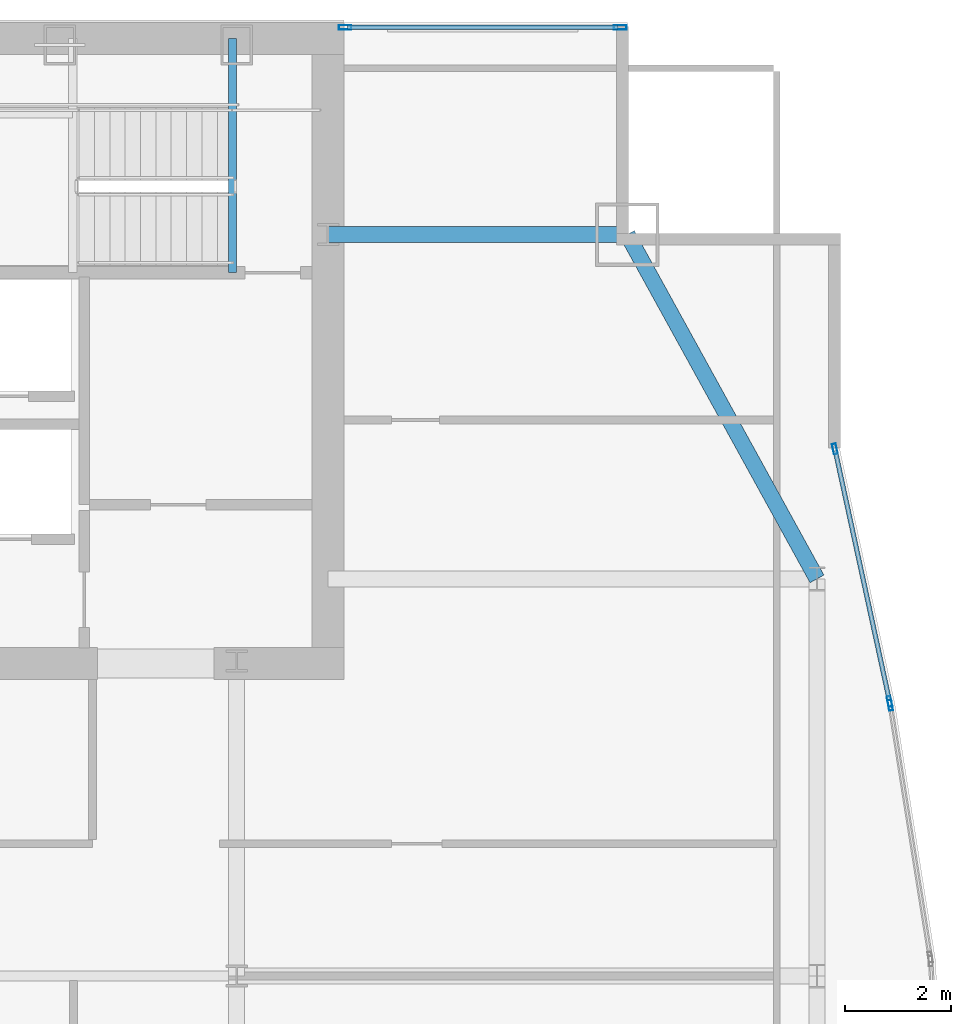
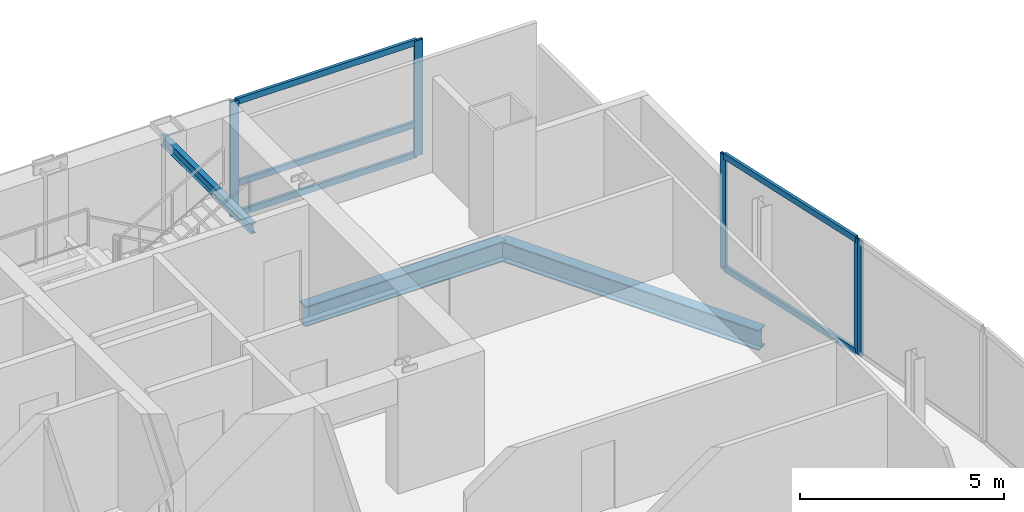
# One storey, part 23 of 30: 10 members, 3 beams, 3 elements without a shape of their own.
"""IFC4 building model written with IfcOpenShell, lengths in metres."""

from ifc_helpers import new_model, si_unit, direction, frame, origin, origin_2d, place, context, subcontext, project, spatial, hollow_rectangle, i_section, extrude, material, material_profile, profile_set, type_object, element, aggregate, save


model = new_model("IFC4")

# Units and contexts
model_context = context("Model", 3, precision=1e-05, world=origin(), true_north=direction((0.0, 1.0)))
body_context = subcontext(model_context, "Body", "Model", "MODEL_VIEW")
ifc_project = project(units=[si_unit("LENGTHUNIT", "METRE"), si_unit("AREAUNIT", "SQUARE_METRE"), si_unit("VOLUMEUNIT", "CUBIC_METRE"), si_unit("PLANEANGLEUNIT", "RADIAN"), si_unit("MASSUNIT", "GRAM", prefix="KILO")], contexts=[model_context])

# Site, building, storey
site_placement = place(None, origin())
site = spatial("IfcSite", under=ifc_project, at=site_placement, CompositionType="ELEMENT")
building_placement = place(site_placement, origin())
building = spatial("IfcBuilding", under=site, at=building_placement, Name="Khoronbel Lancet Exchange", CompositionType="ELEMENT")
storey_placement = place(building_placement, frame((0.0, 0.0, 217.39990234375)))
storey = spatial("IfcBuildingStorey", under=building, at=storey_placement, Name="L55", CompositionType="ELEMENT", Elevation=217.39990234375)

# Beams
ifc_material_1 = material(Name="Steel S355", Category="steel")
ifc_material_profile_1 = material_profile(ifc_material_1, i_section(OverallWidth=0.14990234375, OverallDepth=0.300048828125, WebThickness=0.007080078125, FlangeThickness=0.0107421875, at=origin_2d()), Name="IPE 300")
ifc_profile_set_1 = profile_set([ifc_material_profile_1], Name="Steel S355")
beam_type_1 = type_object("IfcBeamType", Name="BM-BJ8", PredefinedType="JOIST", material=ifc_profile_set_1)
beam_1_placement = place(storey_placement, frame((54.60009765625, 48.97998046875, 3.16015625), z_axis=(0.0, 1.0, 0.0), x_axis=(-1.0, 0.0, 0.0)))
element("IfcBeam", 1, at=beam_1_placement, inside=storey, type_object=beam_type_1, Name="Level L55 stair ST2 upper-flight arrival trimmer beam", PredefinedType="JOIST", context=body_context, shape_type="SweptSolid", body=[
    extrude(i_section(OverallWidth=0.14990234375, OverallDepth=0.300048828125, WebThickness=0.007080078125, FlangeThickness=0.0107421875, at=origin_2d()), origin(), (0.0, 0.0, 1.0), 4.419921875),
])
ifc_material_profile_2 = material_profile(ifc_material_1, i_section(OverallWidth=0.300048828125, OverallDepth=0.60009765625, WebThickness=0.015380859375, FlangeThickness=0.030029296875, at=origin_2d()), Name="HEB 600")
ifc_profile_set_2 = profile_set([ifc_material_profile_2], Name="Steel S355")
beam_type_2 = type_object("IfcBeamType", Name="BM-BSP2", PredefinedType="SPANDREL", material=ifc_profile_set_2)
beam_2_placement = place(storey_placement, frame((65.6298828125, 43.199951171875, -0.4599609375), z_axis=(-0.482418808117, 0.875940690672, 0.0), x_axis=(-0.875940690672, -0.482418808117, 0.0)))
element("IfcBeam", 2, at=beam_2_placement, inside=storey, type_object=beam_type_2, Name="Level L55 perimeter spandrel beam SP15", PredefinedType="SPANDREL", context=body_context, shape_type="SweptSolid", body=[
    extrude(i_section(OverallWidth=0.300048828125, OverallDepth=0.60009765625, WebThickness=0.015380859375, FlangeThickness=0.030029296875, at=origin_2d()), origin(), (0.0, 0.0, 1.0), 7.420654296875),
])
beam_3_placement = place(storey_placement, frame((62.050048828125, 49.699951171875, -0.4599609375), z_axis=(-1.0, 0.0, 0.0), x_axis=(0.0, -1.0, 0.0)))
element("IfcBeam", 3, at=beam_3_placement, inside=storey, type_object=beam_type_2, Name="Level L55 north flank tie spandrel SP23", PredefinedType="SPANDREL", context=body_context, shape_type="SweptSolid", body=[
    extrude(i_section(OverallWidth=0.300048828125, OverallDepth=0.60009765625, WebThickness=0.015380859375, FlangeThickness=0.030029296875, at=origin_2d()), origin(), (0.0, 0.0, 1.0), 5.650146484375),
])

# Curtain wall, members
ifc_material_2 = material(Name="Low-E Solar Control Insulating Glass", Category="glass")
curtain_wall_type_1 = type_object("IfcCurtainWallType", Name="CW-3", PredefinedType="NOTDEFINED", material=ifc_material_2)
curtain_wall_1_placement = place(storey_placement, origin())
curtain_wall_1 = element("IfcCurtainWall", 4, at=curtain_wall_1_placement, inside=storey, type_object=curtain_wall_type_1, Name="Unitised curtain wall CW-L55-NEFLK", PredefinedType="NOTDEFINED")
ifc_material_3 = material(Name="Bronze-Anodised Aluminium 6063-T6", Category="aluminium")
ifc_material_profile_3 = material_profile(ifc_material_3, hollow_rectangle(XDim=0.0849609375, YDim=0.239990234375, WallThickness=0.006103515625, at=origin_2d()), Name="ALU MULLION 85x240")
ifc_profile_set_3 = profile_set([ifc_material_profile_3], Name="Bronze-Anodised Aluminium 6063-T6")
member_type_1 = type_object("IfcMemberType", Name="MEM-CWM1", PredefinedType="MULLION", material=ifc_profile_set_3)
member_1_placement = place(storey_placement, frame((61.91748046875, 53.610107421875, 0.0), z_axis=(0.0, 0.0, 1.0), x_axis=(0.0, -1.0, 0.0)))
member_1 = element("IfcMember", 5, at=member_1_placement, type_object=member_type_1, Name="CW3 mullion 1", PredefinedType="MULLION", context=body_context, shape_type="SweptSolid", body=[
    extrude(hollow_rectangle(XDim=0.0849609375, YDim=0.239990234375, WallThickness=0.006103515625, at=origin_2d()), origin(), (0.0, 0.0, 1.0), 3.440185546875),
])
member_2_placement = place(storey_placement, frame((56.722412109375, 53.610107421875, 0.0), z_axis=(0.0, 0.0, 1.0), x_axis=(0.0, -1.0, 0.0)))
member_2 = element("IfcMember", 6, at=member_2_placement, type_object=member_type_1, Name="CW3 mullion 2", PredefinedType="MULLION", context=body_context, shape_type="SweptSolid", body=[
    extrude(hollow_rectangle(XDim=0.0849609375, YDim=0.239990234375, WallThickness=0.006103515625, at=origin_2d()), origin(), (0.0, 0.0, 1.0), 3.440185546875),
])

curtain_wall_type_2 = type_object("IfcCurtainWallType", Name="CW-4", PredefinedType="NOTDEFINED", material=ifc_material_2)
curtain_wall_2_placement = place(storey_placement, origin())
curtain_wall_2 = element("IfcCurtainWall", 7, at=curtain_wall_2_placement, inside=storey, type_object=curtain_wall_type_2, Name="Unitised curtain wall CW-L55-E17", PredefinedType="NOTDEFINED")
ifc_material_profile_4 = material_profile(ifc_material_3, hollow_rectangle(XDim=0.074951171875, YDim=0.199951171875, WallThickness=0.0048828125, at=origin_2d()), Name="ALU MULLION 75x200")
ifc_profile_set_4 = profile_set([ifc_material_profile_4], Name="Bronze-Anodised Aluminium 6063-T6")
member_type_2 = type_object("IfcMemberType", Name="MEM-CWM2", PredefinedType="MULLION", material=ifc_profile_set_4)
member_3_placement = place(storey_placement, frame((65.968017578125, 45.65380859375, 0.0), z_axis=(0.0, 0.0, 1.0), x_axis=(0.977341174585, 0.211670093448, 0.0)))
member_3 = element("IfcMember", 8, at=member_3_placement, type_object=member_type_2, Name="CW4 mullion 1", PredefinedType="MULLION", context=body_context, shape_type="SweptSolid", body=[
    extrude(hollow_rectangle(XDim=0.074951171875, YDim=0.199951171875, WallThickness=0.0048828125, at=origin_2d()), origin(), (0.0, 0.0, 1.0), 3.440185546875),
])
member_4_placement = place(storey_placement, frame((67.000244140625, 40.88671875, 0.0), z_axis=(0.0, 0.0, 1.0), x_axis=(0.977341174585, 0.211670093448, 0.0)))
member_4 = element("IfcMember", 9, at=member_4_placement, type_object=member_type_2, Name="CW4 mullion 2", PredefinedType="MULLION", context=body_context, shape_type="SweptSolid", body=[
    extrude(hollow_rectangle(XDim=0.074951171875, YDim=0.199951171875, WallThickness=0.0048828125, at=origin_2d()), origin(), (0.0, 0.0, 1.0), 3.440185546875),
])

# Curtain wall, member
curtain_wall_3_placement = place(storey_placement, origin())
curtain_wall_3 = element("IfcCurtainWall", 10, at=curtain_wall_3_placement, inside=storey, type_object=curtain_wall_type_2, Name="Unitised curtain wall CW-L55-E18", PredefinedType="NOTDEFINED")
member_5_placement = place(storey_placement, frame((67.01416015625, 40.81298828125, 0.0), z_axis=(0.0, 0.0, 1.0), x_axis=(0.987661213762, 0.156605641119, 0.0)))
member_5 = element("IfcMember", 11, at=member_5_placement, type_object=member_type_2, Name="CW4 mullion 1", PredefinedType="MULLION", context=body_context, shape_type="SweptSolid", body=[
    extrude(hollow_rectangle(XDim=0.074951171875, YDim=0.199951171875, WallThickness=0.0048828125, at=origin_2d()), origin(), (0.0, 0.0, 1.0), 3.440185546875),
])
aggregate(curtain_wall_3, [member_5])

# Member
ifc_material_profile_5 = material_profile(ifc_material_3, hollow_rectangle(XDim=0.0849609375, YDim=0.179931640625, WallThickness=0.0048828125, at=origin_2d()), Name="ALU TRANSOM 85x180")
ifc_profile_set_5 = profile_set([ifc_material_profile_5], Name="Bronze-Anodised Aluminium 6063-T6")
member_type_3 = type_object("IfcMemberType", Name="MEM-CWT1", PredefinedType="USERDEFINED", material=ifc_profile_set_5)
member_6_placement = place(storey_placement, frame((61.875, 53.610107421875, 0.04248046875), z_axis=(-1.0, 0.0, 0.0), x_axis=(0.0, -1.0, 0.0)))
member_6 = element("IfcMember", 12, at=member_6_placement, type_object=member_type_3, Name="CW3 transom 1.1", ObjectType="TRANSOM", PredefinedType="USERDEFINED", context=body_context, shape_type="SweptSolid", body=[
    extrude(hollow_rectangle(XDim=0.0849609375, YDim=0.179931640625, WallThickness=0.0048828125, at=origin_2d()), origin(), (0.0, 0.0, 1.0), 5.110107421875),
])

member_7_placement = place(storey_placement, frame((61.875, 53.610107421875, 0.9501953125), z_axis=(-1.0, 0.0, 0.0), x_axis=(0.0, -1.0, 0.0)))
member_7 = element("IfcMember", 13, at=member_7_placement, type_object=member_type_3, Name="CW3 transom 1.2", ObjectType="TRANSOM", PredefinedType="USERDEFINED", context=body_context, shape_type="SweptSolid", body=[
    extrude(hollow_rectangle(XDim=0.0849609375, YDim=0.179931640625, WallThickness=0.0048828125, at=origin_2d()), origin(), (0.0, 0.0, 1.0), 5.110107421875),
])

member_8_placement = place(storey_placement, frame((61.875, 53.610107421875, 3.397705078125), z_axis=(-1.0, 0.0, 0.0), x_axis=(0.0, -1.0, 0.0)))
member_8 = element("IfcMember", 14, at=member_8_placement, type_object=member_type_3, Name="CW3 transom 1.3", ObjectType="TRANSOM", PredefinedType="USERDEFINED", context=body_context, shape_type="SweptSolid", body=[
    extrude(hollow_rectangle(XDim=0.0849609375, YDim=0.179931640625, WallThickness=0.0048828125, at=origin_2d()), origin(), (0.0, 0.0, 1.0), 5.110107421875),
])

aggregate(curtain_wall_1, [member_1, member_2, member_6, member_7, member_8])

member_9_placement = place(storey_placement, frame((65.975830078125, 45.6171875, 0.04248046875), z_axis=(0.21167403994, -0.977340319856, 0.0), x_axis=(0.977340319856, 0.21167403994, 0.0)))
member_9 = element("IfcMember", 15, at=member_9_placement, type_object=member_type_3, Name="CW4 transom 1.1", ObjectType="TRANSOM", PredefinedType="USERDEFINED", context=body_context, shape_type="SweptSolid", body=[
    extrude(hollow_rectangle(XDim=0.0849609375, YDim=0.179931640625, WallThickness=0.0048828125, at=origin_2d()), origin(), (0.0, 0.0, 1.0), 4.802734375),
])

member_10_placement = place(storey_placement, frame((65.975830078125, 45.6171875, 3.397705078125), z_axis=(0.21167403994, -0.977340319856, 0.0), x_axis=(0.977340319856, 0.21167403994, 0.0)))
member_10 = element("IfcMember", 16, at=member_10_placement, type_object=member_type_3, Name="CW4 transom 1.2", ObjectType="TRANSOM", PredefinedType="USERDEFINED", context=body_context, shape_type="SweptSolid", body=[
    extrude(hollow_rectangle(XDim=0.0849609375, YDim=0.179931640625, WallThickness=0.0048828125, at=origin_2d()), origin(), (0.0, 0.0, 1.0), 4.802734375),
])

aggregate(curtain_wall_2, [member_3, member_4, member_9, member_10])

save(model, "model.ifc")
